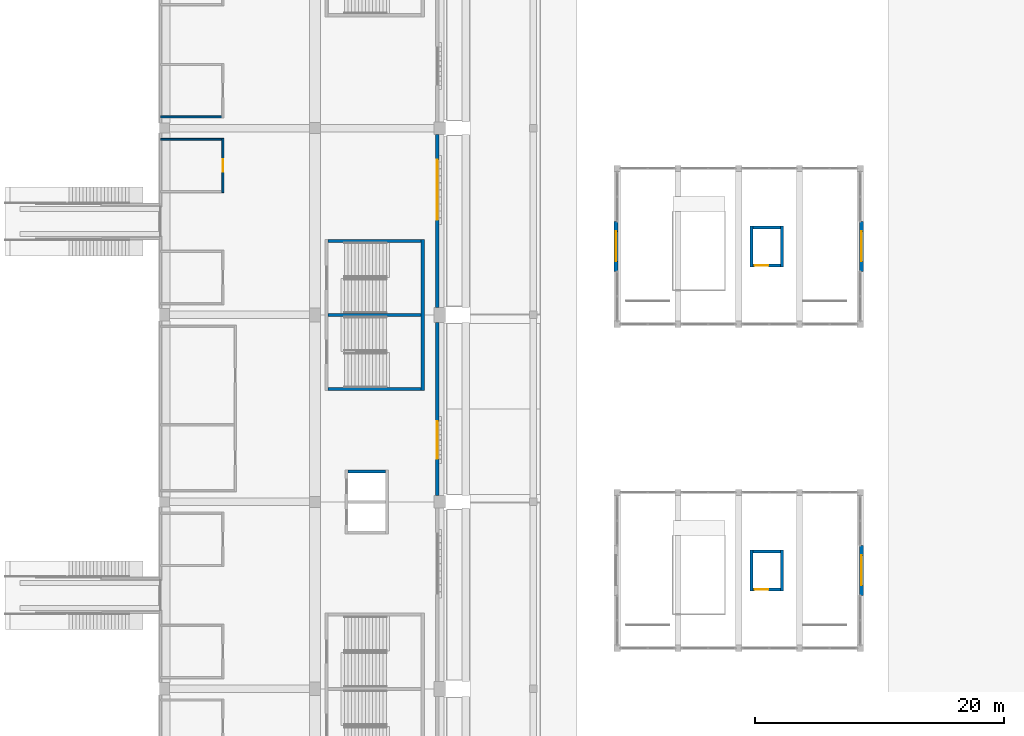
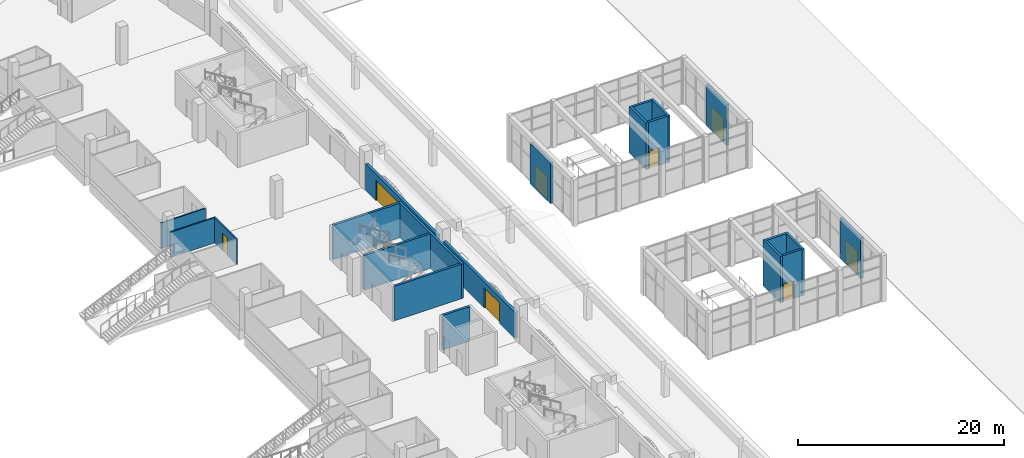
# One storey, part 35 of 175: 21 walls, 8 doors, 8 openings.
"""IFC4 building model written with IfcOpenShell, lengths in metres."""

from ifc_helpers import new_model, si_unit, direction, frame, frame_2d, origin, place, context, subcontext, project, spatial, rectangle, extrude, material, layer, layer_set, type_object, element, fill, save


model = new_model("IFC4")

# Units and contexts
model_context = context("Model", 3, precision=1e-05, world=origin(), true_north=direction((0.0, 1.0)))
body_context = subcontext(model_context, "Body", "Model", "MODEL_VIEW")
ifc_project = project(units=[si_unit("LENGTHUNIT", "METRE"), si_unit("AREAUNIT", "SQUARE_METRE"), si_unit("VOLUMEUNIT", "CUBIC_METRE"), si_unit("PLANEANGLEUNIT", "RADIAN"), si_unit("MASSUNIT", "GRAM", prefix="KILO")], contexts=[model_context])

# Site, building, storey
site_placement = place(None, origin())
site = spatial("IfcSite", under=ifc_project, at=site_placement, CompositionType="ELEMENT")
building_placement = place(site_placement, origin())
building = spatial("IfcBuilding", under=site, at=building_placement, Name="Ogive Plaza Stadium", CompositionType="ELEMENT")
storey_placement = place(building_placement, origin())
storey = spatial("IfcBuildingStorey", under=building, at=storey_placement, Name="L00", CompositionType="ELEMENT", Elevation=0.0)

# Wall
ifc_material_1 = material(Name="Masonry blockwork", Category="masonry")
ifc_layer_1 = layer(ifc_material_1, 0.14990234375)
ifc_layer_set_1 = layer_set([ifc_layer_1], Name="Blockwork wall 150")
wall_type_1 = type_object("IfcWallType", Name="Blockwork wall 150", PredefinedType="SOLIDWALL", material=ifc_layer_set_1)
wall_1_placement = place(storey_placement, frame((61.60009765625, 23.39990234375, 0.0), z_axis=(0.0, 0.0, 1.0), x_axis=(1.0, 0.0, 0.0)))
element("IfcWall", 1, at=wall_1_placement, inside=storey, type_object=wall_type_1, Name="Wall L00 B02", PredefinedType="SOLIDWALL", context=body_context, shape_type="SweptSolid", body=[
    extrude(rectangle(XDim=4.9248046875, YDim=0.14990234375, at=frame_2d((2.46240234375, 0.0))), origin(), (0.0, 0.0, 1.0), 3.0),
])

# Wall, opening, door
wall_2_placement = place(storey_placement, frame((66.60009765625, 17.324951171875, 0.0), z_axis=(0.0, 0.0, 1.0), x_axis=(0.0, 1.0, 0.0)))
wall_2 = element("IfcWall", 2, at=wall_2_placement, inside=storey, type_object=wall_type_1, Name="Wall L00 B03", PredefinedType="SOLIDWALL", context=body_context, shape_type="SweptSolid", body=[
    extrude(rectangle(XDim=4.35009765625, YDim=0.14990234375, at=frame_2d((2.175048828125, 0.0))), origin(), (0.0, 0.0, 1.0), 3.0),
])
opening_1_placement = place(wall_2_placement, frame((1.675048828125, 0.0, 0.0)))
opening_1 = element("IfcOpeningElement", 3, at=opening_1_placement, cuts=wall_2, Name="Opening D0380", PredefinedType="OPENING", context=body_context, shape_type="SweptSolid", body=[
    extrude(rectangle(XDim=1.0, YDim=2.10009765625, at=frame_2d((0.5, 1.050048828125))), frame((0.0, 0.074951171875, 0.0), z_axis=(0.0, -1.0, 0.0), x_axis=(1.0, 0.0, 0.0)), (0.0, 0.0, 1.0), 0.14990234375),
])
ifc_material_2 = material(Name="Steel ASTM A572 Grade 50", Category="steel")
door_type_1 = type_object("IfcDoorType", Name="Door 1000 x 2100", OperationType="SINGLE_SWING_LEFT", PredefinedType="DOOR", material=ifc_material_2)
door_1_placement = place(opening_1_placement, origin())
door_1 = element("IfcDoor", 4, at=door_1_placement, inside=storey, type_object=door_type_1, Name="Concession Stand B03 door", OperationType="SINGLE_SWING_RIGHT", OverallHeight=2.10009765625, OverallWidth=1.0, PredefinedType="DOOR", context=body_context, shape_type="SweptSolid", body=[
    extrude(rectangle(XDim=1.0, YDim=2.10009765625, at=frame_2d((0.5, 1.050048828125))), frame((0.0, 0.02490234375, 0.0), z_axis=(0.0, -1.0, 0.0), x_axis=(1.0, 0.0, 0.0)), (0.0, 0.0, 1.0), 0.050048828125),
])
fill(opening_1, door_1)

# Walls
wall_3_placement = place(storey_placement, frame((61.60009765625, 21.60009765625, 0.0), z_axis=(0.0, 0.0, 1.0), x_axis=(1.0, 0.0, 0.0)))
element("IfcWall", 5, at=wall_3_placement, inside=storey, type_object=wall_type_1, Name="Wall L00 B03", PredefinedType="SOLIDWALL", context=body_context, shape_type="SweptSolid", body=[
    extrude(rectangle(XDim=4.9248046875, YDim=0.14990234375, at=frame_2d((2.46240234375, 0.0))), origin(), (0.0, 0.0, 1.0), 3.0),
])
ifc_material_3 = material(Name="Concrete C40/50", Category="concrete")
ifc_layer_2 = layer(ifc_material_3, 0.25)
ifc_layer_set_2 = layer_set([ifc_layer_2], Name="Concrete C40/50")
wall_type_2 = type_object("IfcWallType", Name="Core wall 250", PredefinedType="SHEAR", material=ifc_layer_set_2)
wall_4_placement = place(storey_placement, frame((82.635009765625, 1.425048828125, 0.0), z_axis=(0.0, 0.0, 1.0), x_axis=(0.0, 1.0, 0.0)))
element("IfcWall", 6, at=wall_4_placement, inside=storey, type_object=wall_type_2, Name="Stair core R04 outer wall", PredefinedType="SHEAR", context=body_context, shape_type="SweptSolid", body=[
    extrude(rectangle(XDim=12.14990234375, YDim=0.25, at=frame_2d((6.074951171875, 0.0))), origin(), (0.0, 0.0, 1.0), 4.090087890625),
])
for number, where, z_axis, x_axis, name in (
    (7, (75.050048828125, 1.550048828125, 0.0), (0.0, 0.0, 1.0), (1.0, 0.0, 0.0), "Stair core R04 side wall"),
    (8, (75.050048828125, 13.449951171875, 0.0), (0.0, 0.0, 1.0), (1.0, 0.0, 0.0), "Stair core R04 side wall"),
    (9, (75.050048828125, 7.5, 0.0), (0.0, 0.0, 1.0), (1.0, 0.0, 0.0), "Stair core R04 centre wall"),
):
    element("IfcWall", number, at=place(storey_placement, frame(where, z_axis=z_axis, x_axis=x_axis)), inside=storey, type_object=wall_type_2, Name=name, PredefinedType="SHEAR", context=body_context, shape_type="SweptSolid", body=[
        extrude(rectangle(XDim=7.4599609375, YDim=0.25, at=frame_2d((3.72998046875, 0.0))), origin(), (0.0, 0.0, 1.0), 4.090087890625),
    ])
wall_5_placement = place(storey_placement, frame((76.64990234375, -5.050048828125, 0.0), z_axis=(0.0, 0.0, 1.0), x_axis=(1.0, 0.0, 0.0)))
element("IfcWall", 10, at=wall_5_placement, inside=storey, type_object=wall_type_2, Name="Lift core LP05 side wall", PredefinedType="SHEAR", context=body_context, shape_type="SweptSolid", body=[
    extrude(rectangle(XDim=3.0, YDim=0.25, at=frame_2d((1.5, 0.0))), origin(), (0.0, 0.0, 1.0), 4.090087890625),
])

# Wall, opening, door
ifc_material_4 = material(Name="Concrete C45/55 precast", Category="concrete")
ifc_layer_3 = layer(ifc_material_4, 0.25)
ifc_material_5 = material(Name="Cast stone (reconstituted limestone)", Category="masonry")
ifc_layer_4 = layer(ifc_material_5, 0.050048828125)
ifc_layer_set_3 = layer_set([ifc_layer_3, ifc_layer_4], Name="Concrete C45/55 precast, cast stone facing")
wall_type_3 = type_object("IfcWallType", Name="Headhouse wall 300", PredefinedType="SOLIDWALL", material=ifc_layer_set_3)
wall_6_placement = place(storey_placement, frame((117.85009765625, -15.0, 0.0), z_axis=(0.0, 0.0, 1.0), x_axis=(0.0, 1.0, 0.0)))
wall_6 = element("IfcWall", 11, at=wall_6_placement, inside=storey, type_object=wall_type_3, Name="Headhouse wall 300 L00 east", PredefinedType="SOLIDWALL", context=body_context, shape_type="SweptSolid", body=[
    extrude(rectangle(XDim=4.0, YDim=0.300048828125, at=frame_2d((2.0, 0.0))), origin(), (0.0, 0.0, 1.0), 4.800048828125),
])
opening_2_placement = place(wall_6_placement, frame((0.800048828125, 0.0, 0.0)))
opening_2 = element("IfcOpeningElement", 12, at=opening_2_placement, cuts=wall_6, Name="Opening HE1E", PredefinedType="OPENING", context=body_context, shape_type="SweptSolid", body=[
    extrude(rectangle(XDim=2.39990234375, YDim=2.699951171875, at=frame_2d((1.199951171875, 1.35009765625))), frame((0.0, 0.14990234375, 0.0), z_axis=(0.0, -1.0, 0.0), x_axis=(1.0, 0.0, 0.0)), (0.0, 0.0, 1.0), 0.300048828125),
])
ifc_material_6 = material(Name="Aluminium and laminated glass door set", Category="aluminium")
door_type_2 = type_object("IfcDoorType", Name="Entrance door double 2400 x 2700", OperationType="DOUBLE_DOOR_SINGLE_SWING", PredefinedType="DOOR", material=ifc_material_6)
door_2_placement = place(opening_2_placement, frame((2.39990234375, 0.0, 0.0), z_axis=(0.0, 0.0, 1.0), x_axis=(-1.0, 0.0, 0.0)))
door_2 = element("IfcDoor", 13, at=door_2_placement, inside=storey, type_object=door_type_2, Name="Headhouse 1 entrance E", OperationType="DOUBLE_DOOR_SINGLE_SWING", OverallHeight=2.699951171875, OverallWidth=2.39990234375, PredefinedType="DOOR", context=body_context, shape_type="SweptSolid", body=[
    extrude(rectangle(XDim=2.39990234375, YDim=2.699951171875, at=frame_2d((1.199951171875, 1.35009765625))), frame((0.0, 0.02490234375, 0.0), z_axis=(0.0, -1.0, 0.0), x_axis=(1.0, 0.0, 0.0)), (0.0, 0.0, 1.0), 0.050048828125),
])
fill(opening_2, door_2)

wall_7_placement = place(storey_placement, frame((98.14990234375, 11.0, 0.0), z_axis=(0.0, 0.0, 1.0), x_axis=(0.0, 1.0, 0.0)))
wall_7 = element("IfcWall", 14, at=wall_7_placement, inside=storey, type_object=wall_type_3, Name="Headhouse wall 300 L00 west", PredefinedType="SOLIDWALL", context=body_context, shape_type="SweptSolid", body=[
    extrude(rectangle(XDim=4.0, YDim=0.300048828125, at=frame_2d((2.0, 0.0))), origin(), (0.0, 0.0, 1.0), 4.800048828125),
])
opening_3_placement = place(wall_7_placement, frame((0.800048828125, 0.0, 0.0)))
opening_3 = element("IfcOpeningElement", 15, at=opening_3_placement, cuts=wall_7, Name="Opening HE2W", PredefinedType="OPENING", context=body_context, shape_type="SweptSolid", body=[
    extrude(rectangle(XDim=2.39990234375, YDim=2.699951171875, at=frame_2d((1.199951171875, 1.35009765625))), frame((0.0, 0.14990234375, 0.0), z_axis=(0.0, -1.0, 0.0), x_axis=(1.0, 0.0, 0.0)), (0.0, 0.0, 1.0), 0.300048828125),
])
door_3_placement = place(opening_3_placement, origin())
door_3 = element("IfcDoor", 16, at=door_3_placement, inside=storey, type_object=door_type_2, Name="Headhouse 2 entrance W", OperationType="DOUBLE_DOOR_SINGLE_SWING", OverallHeight=2.699951171875, OverallWidth=2.39990234375, PredefinedType="DOOR", context=body_context, shape_type="SweptSolid", body=[
    extrude(rectangle(XDim=2.39990234375, YDim=2.699951171875, at=frame_2d((1.199951171875, 1.35009765625))), frame((0.0, 0.02490234375, 0.0), z_axis=(0.0, -1.0, 0.0), x_axis=(1.0, 0.0, 0.0)), (0.0, 0.0, 1.0), 0.050048828125),
])
fill(opening_3, door_3)

wall_8_placement = place(storey_placement, frame((117.85009765625, 11.0, 0.0), z_axis=(0.0, 0.0, 1.0), x_axis=(0.0, 1.0, 0.0)))
wall_8 = element("IfcWall", 17, at=wall_8_placement, inside=storey, type_object=wall_type_3, Name="Headhouse wall 300 L00 east", PredefinedType="SOLIDWALL", context=body_context, shape_type="SweptSolid", body=[
    extrude(rectangle(XDim=4.0, YDim=0.300048828125, at=frame_2d((2.0, 0.0))), origin(), (0.0, 0.0, 1.0), 4.800048828125),
])
opening_4_placement = place(wall_8_placement, frame((0.800048828125, 0.0, 0.0)))
opening_4 = element("IfcOpeningElement", 18, at=opening_4_placement, cuts=wall_8, Name="Opening HE2E", PredefinedType="OPENING", context=body_context, shape_type="SweptSolid", body=[
    extrude(rectangle(XDim=2.39990234375, YDim=2.699951171875, at=frame_2d((1.199951171875, 1.35009765625))), frame((0.0, 0.14990234375, 0.0), z_axis=(0.0, -1.0, 0.0), x_axis=(1.0, 0.0, 0.0)), (0.0, 0.0, 1.0), 0.300048828125),
])
door_4_placement = place(opening_4_placement, frame((2.39990234375, 0.0, 0.0), z_axis=(0.0, 0.0, 1.0), x_axis=(-1.0, 0.0, 0.0)))
door_4 = element("IfcDoor", 19, at=door_4_placement, inside=storey, type_object=door_type_2, Name="Headhouse 2 entrance E", OperationType="DOUBLE_DOOR_SINGLE_SWING", OverallHeight=2.699951171875, OverallWidth=2.39990234375, PredefinedType="DOOR", context=body_context, shape_type="SweptSolid", body=[
    extrude(rectangle(XDim=2.39990234375, YDim=2.699951171875, at=frame_2d((1.199951171875, 1.35009765625))), frame((0.0, 0.02490234375, 0.0), z_axis=(0.0, -1.0, 0.0), x_axis=(1.0, 0.0, 0.0)), (0.0, 0.0, 1.0), 0.050048828125),
])
fill(opening_4, door_4)

# Walls
ifc_material_7 = material(Name="Concrete C40/50", Category="concrete")
ifc_layer_5 = layer(ifc_material_7, 0.25)
ifc_layer_set_4 = layer_set([ifc_layer_5], Name="Concrete C40/50")
wall_type_4 = type_object("IfcWallType", Name="Lift shaft wall 250", PredefinedType="SHEAR", material=ifc_layer_set_4)
for number, where, z_axis, x_axis, name in (
    (20, (109.02490234375, -14.64990234375, 0.0), (0.0, 0.0, 1.0), (0.0, 1.0, 0.0), "Lift shaft wall 250 L00 west"),
    (21, (111.47509765625, -14.64990234375, 0.0), (0.0, 0.0, 1.0), (0.0, 1.0, 0.0), "Lift shaft wall 250 L00 east"),
):
    element("IfcWall", number, at=place(storey_placement, frame(where, z_axis=z_axis, x_axis=x_axis)), inside=storey, type_object=wall_type_4, Name=name, PredefinedType="SHEAR", context=body_context, shape_type="SweptSolid", body=[
        extrude(rectangle(XDim=3.2998046875, YDim=0.25, at=frame_2d((1.64990234375, 0.0))), origin(), (0.0, 0.0, 1.0), 5.5),
    ])

# Wall, opening, door
wall_9_placement = place(storey_placement, frame((109.14990234375, -14.52490234375, 0.0), z_axis=(0.0, 0.0, 1.0), x_axis=(1.0, 0.0, 0.0)))
wall_9 = element("IfcWall", 22, at=wall_9_placement, inside=storey, type_object=wall_type_4, Name="Lift shaft wall 250 L00 south", PredefinedType="SHEAR", context=body_context, shape_type="SweptSolid", body=[
    extrude(rectangle(XDim=2.2001953125, YDim=0.25, at=frame_2d((1.10009765625, 0.0))), origin(), (0.0, 0.0, 1.0), 5.5),
])
opening_5_placement = place(wall_9_placement, frame((0.125, 0.0, 0.0)))
opening_5 = element("IfcOpeningElement", 23, at=opening_5_placement, cuts=wall_9, Name="Opening LD003", PredefinedType="OPENING", context=body_context, shape_type="SweptSolid", body=[
    extrude(rectangle(XDim=1.10009765625, YDim=2.10009765625, at=frame_2d((0.550048828125, 1.050048828125))), frame((0.0, 0.125, 0.0), z_axis=(0.0, -1.0, 0.0), x_axis=(1.0, 0.0, 0.0)), (0.0, 0.0, 1.0), 0.25),
])
ifc_material_8 = material(Name="Stainless steel door set", Category="steel")
door_type_3 = type_object("IfcDoorType", Name="Landing door LD 1100 x 2100", OperationType="SLIDING_TO_LEFT", PredefinedType="DOOR", material=ifc_material_8)
door_5_placement = place(opening_5_placement, origin())
door_5 = element("IfcDoor", 24, at=door_5_placement, inside=storey, type_object=door_type_3, Name="Door LD003", OperationType="SLIDING_TO_LEFT", OverallHeight=2.10009765625, OverallWidth=1.10009765625, PredefinedType="DOOR", context=body_context, shape_type="SweptSolid", body=[
    extrude(rectangle(XDim=1.10009765625, YDim=2.10009765625, at=frame_2d((0.550048828125, 1.050048828125))), frame((0.0, 0.02490234375, 0.0), z_axis=(0.0, -1.0, 0.0), x_axis=(1.0, 0.0, 0.0)), (0.0, 0.0, 1.0), 0.050048828125),
])
fill(opening_5, door_5)

# Walls
wall_10_placement = place(storey_placement, frame((109.14990234375, -11.47509765625, 0.0), z_axis=(0.0, 0.0, 1.0), x_axis=(1.0, 0.0, 0.0)))
element("IfcWall", 25, at=wall_10_placement, inside=storey, type_object=wall_type_4, Name="Lift shaft wall 250 L00 north", PredefinedType="SHEAR", context=body_context, shape_type="SweptSolid", body=[
    extrude(rectangle(XDim=2.2001953125, YDim=0.25, at=frame_2d((1.10009765625, 0.0))), origin(), (0.0, 0.0, 1.0), 5.5),
])
for number, where, z_axis, x_axis, name in (
    (26, (109.02490234375, 11.35009765625, 0.0), (0.0, 0.0, 1.0), (0.0, 1.0, 0.0), "Lift shaft wall 250 L00 west"),
    (27, (111.47509765625, 11.35009765625, 0.0), (0.0, 0.0, 1.0), (0.0, 1.0, 0.0), "Lift shaft wall 250 L00 east"),
):
    element("IfcWall", number, at=place(storey_placement, frame(where, z_axis=z_axis, x_axis=x_axis)), inside=storey, type_object=wall_type_4, Name=name, PredefinedType="SHEAR", context=body_context, shape_type="SweptSolid", body=[
        extrude(rectangle(XDim=3.2998046875, YDim=0.25, at=frame_2d((1.64990234375, 0.0))), origin(), (0.0, 0.0, 1.0), 5.5),
    ])

# Wall, opening, door
wall_11_placement = place(storey_placement, frame((109.14990234375, 11.47509765625, 0.0), z_axis=(0.0, 0.0, 1.0), x_axis=(1.0, 0.0, 0.0)))
wall_11 = element("IfcWall", 28, at=wall_11_placement, inside=storey, type_object=wall_type_4, Name="Lift shaft wall 250 L00 south", PredefinedType="SHEAR", context=body_context, shape_type="SweptSolid", body=[
    extrude(rectangle(XDim=2.2001953125, YDim=0.25, at=frame_2d((1.10009765625, 0.0))), origin(), (0.0, 0.0, 1.0), 5.5),
])
opening_6_placement = place(wall_11_placement, frame((0.125, 0.0, 0.0)))
opening_6 = element("IfcOpeningElement", 29, at=opening_6_placement, cuts=wall_11, Name="Opening LD006", PredefinedType="OPENING", context=body_context, shape_type="SweptSolid", body=[
    extrude(rectangle(XDim=1.10009765625, YDim=2.10009765625, at=frame_2d((0.550048828125, 1.050048828125))), frame((0.0, 0.125, 0.0), z_axis=(0.0, -1.0, 0.0), x_axis=(1.0, 0.0, 0.0)), (0.0, 0.0, 1.0), 0.25),
])
door_6_placement = place(opening_6_placement, origin())
door_6 = element("IfcDoor", 30, at=door_6_placement, inside=storey, type_object=door_type_3, Name="Door LD006", OperationType="SLIDING_TO_LEFT", OverallHeight=2.10009765625, OverallWidth=1.10009765625, PredefinedType="DOOR", context=body_context, shape_type="SweptSolid", body=[
    extrude(rectangle(XDim=1.10009765625, YDim=2.10009765625, at=frame_2d((0.550048828125, 1.050048828125))), frame((0.0, 0.02490234375, 0.0), z_axis=(0.0, -1.0, 0.0), x_axis=(1.0, 0.0, 0.0)), (0.0, 0.0, 1.0), 0.050048828125),
])
fill(opening_6, door_6)

# Wall
wall_12_placement = place(storey_placement, frame((109.14990234375, 14.52490234375, 0.0), z_axis=(0.0, 0.0, 1.0), x_axis=(1.0, 0.0, 0.0)))
element("IfcWall", 31, at=wall_12_placement, inside=storey, type_object=wall_type_4, Name="Lift shaft wall 250 L00 north", PredefinedType="SHEAR", context=body_context, shape_type="SweptSolid", body=[
    extrude(rectangle(XDim=2.2001953125, YDim=0.25, at=frame_2d((1.10009765625, 0.0))), origin(), (0.0, 0.0, 1.0), 5.5),
])

# Wall, opening, door
ifc_material_9 = material(Name="Concrete C45/55 precast", Category="concrete")
ifc_layer_6 = layer(ifc_material_9, 0.25)
ifc_material_10 = material(Name="Cast stone (reconstituted limestone)", Category="masonry")
ifc_layer_7 = layer(ifc_material_10, 0.050048828125)
ifc_layer_set_5 = layer_set([ifc_layer_6, ifc_layer_7], Name="Concrete C45/55 precast, cast stone facing")
wall_type_5 = type_object("IfcWallType", Name="Portal infill wall 300", PredefinedType="SOLIDWALL", material=ifc_layer_set_5)
wall_13_placement = place(storey_placement, frame((83.800048828125, 22.0, 0.0), z_axis=(0.0, 0.0, 1.0), x_axis=(0.0, -1.0, 0.0)))
wall_13 = element("IfcWall", 32, at=wall_13_placement, inside=storey, type_object=wall_type_5, Name="PORTAL WALL B03", PredefinedType="SOLIDWALL", context=body_context, shape_type="SweptSolid", body=[
    extrude(rectangle(XDim=13.89990234375, YDim=0.300048828125, at=frame_2d((6.949951171875, 0.0))), origin(), (0.0, 0.0, 1.0), 3.090087890625),
])
opening_7_placement = place(wall_13_placement, frame((2.0625, 0.0, 0.0)))
opening_7 = element("IfcOpeningElement", 33, at=opening_7_placement, cuts=wall_13, Name="Opening D0003", PredefinedType="OPENING", context=body_context, shape_type="SweptSolid", body=[
    extrude(rectangle(XDim=4.800048828125, YDim=2.39990234375, at=frame_2d((2.39990234375, 1.199951171875))), frame((0.0, 0.16015625, 0.0), z_axis=(0.0, -1.0, 0.0), x_axis=(1.0, 0.0, 0.0)), (0.0, 0.0, 1.0), 0.320068359375),
])
ifc_material_11 = material(Name="Bronze-anodised aluminium and laminated glass", Category="aluminium")
door_type_4 = type_object("IfcDoorType", Name="Entrance door pair 4800 x 2400", OperationType="DOUBLE_DOOR_SINGLE_SWING", PredefinedType="DOOR", material=ifc_material_11)
door_7_placement = place(opening_7_placement, origin())
door_7 = element("IfcDoor", 34, at=door_7_placement, inside=storey, type_object=door_type_4, Name="Main entrance E2", OperationType="DOUBLE_DOOR_SINGLE_SWING", OverallHeight=2.39990234375, OverallWidth=4.800048828125, PredefinedType="DOOR", context=body_context, shape_type="SweptSolid", body=[
    extrude(rectangle(XDim=4.800048828125, YDim=2.39990234375, at=frame_2d((2.39990234375, 1.199951171875))), frame((0.0, 0.02490234375, 0.0), z_axis=(0.0, -1.0, 0.0), x_axis=(1.0, 0.0, 0.0)), (0.0, 0.0, 1.0), 0.050048828125),
])
fill(opening_7, door_7)

wall_14_placement = place(storey_placement, frame((83.800048828125, 6.89990234375, 0.0), z_axis=(0.0, 0.0, 1.0), x_axis=(0.0, -1.0, 0.0)))
wall_14 = element("IfcWall", 35, at=wall_14_placement, inside=storey, type_object=wall_type_5, Name="PORTAL WALL B04", PredefinedType="SOLIDWALL", context=body_context, shape_type="SweptSolid", body=[
    extrude(rectangle(XDim=13.89990234375, YDim=0.300048828125, at=frame_2d((6.949951171875, 0.0))), origin(), (0.0, 0.0, 1.0), 3.090087890625),
])
opening_8_placement = place(wall_14_placement, frame((7.9375, 0.0, 0.0)))
opening_8 = element("IfcOpeningElement", 36, at=opening_8_placement, cuts=wall_14, Name="Opening D0004", PredefinedType="OPENING", context=body_context, shape_type="SweptSolid", body=[
    extrude(rectangle(XDim=3.0, YDim=2.39990234375, at=frame_2d((1.5, 1.199951171875))), frame((0.0, 0.16015625, 0.0), z_axis=(0.0, -1.0, 0.0), x_axis=(1.0, 0.0, 0.0)), (0.0, 0.0, 1.0), 0.320068359375),
])
ifc_material_12 = material(Name="Bronze-anodised aluminium and laminated glass", Category="aluminium")
door_type_5 = type_object("IfcDoorType", Name="Exit gate door pair 3000 x 2400", OperationType="DOUBLE_DOOR_SINGLE_SWING", PredefinedType="DOOR", material=ifc_material_12)
door_8_placement = place(opening_8_placement, origin())
door_8 = element("IfcDoor", 37, at=door_8_placement, inside=storey, type_object=door_type_5, Name="Pedestrian exit gate G2", OperationType="DOUBLE_DOOR_SINGLE_SWING", OverallHeight=2.39990234375, OverallWidth=3.0, PredefinedType="DOOR", context=body_context, shape_type="SweptSolid", body=[
    extrude(rectangle(XDim=3.0, YDim=2.39990234375, at=frame_2d((1.5, 1.199951171875))), frame((0.0, 0.02490234375, 0.0), z_axis=(0.0, -1.0, 0.0), x_axis=(1.0, 0.0, 0.0)), (0.0, 0.0, 1.0), 0.050048828125),
])
fill(opening_8, door_8)

save(model, "model.ifc")
